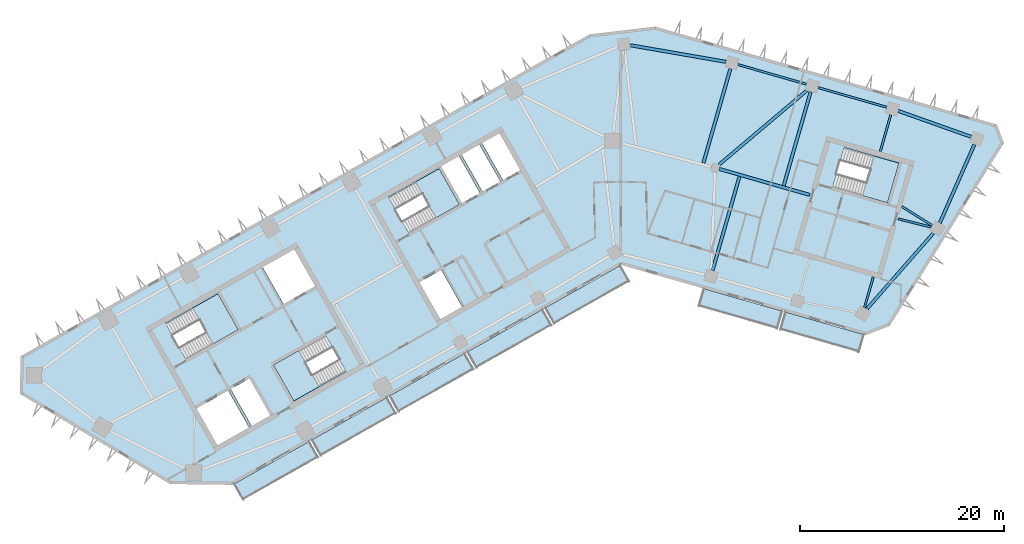
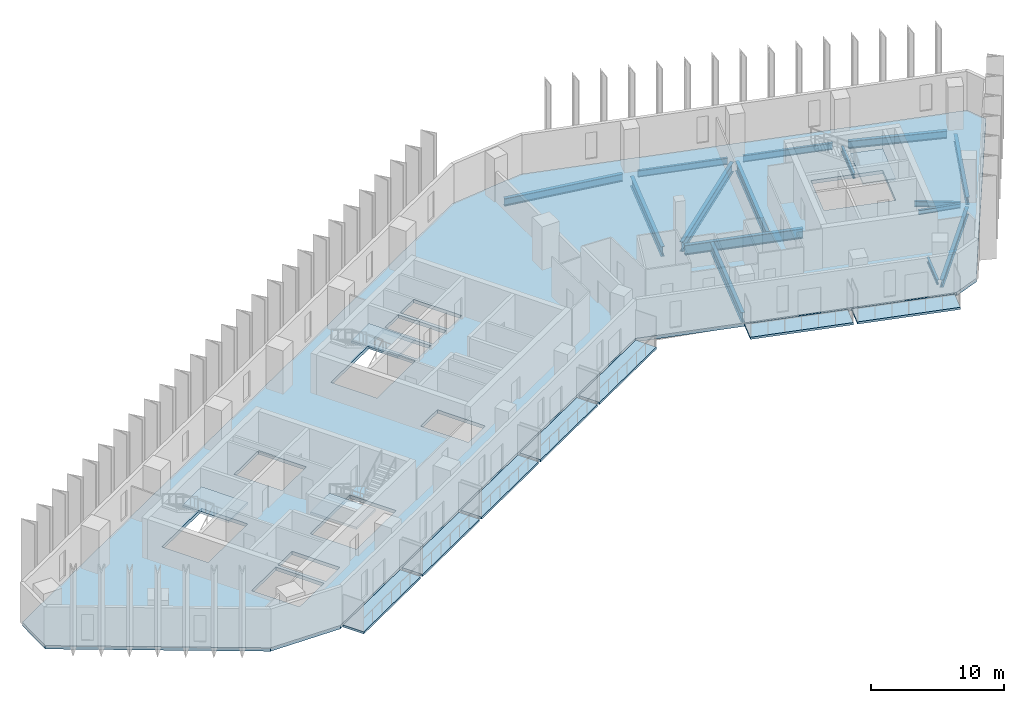
# One storey, part 2 of 10: 15 beams, 12 slabs, 4 elements without a shape of their own.
"""IFC4 building model written with IfcOpenShell, lengths in metres."""

from ifc_helpers import new_model, si_unit, direction, frame, origin, origin_2d, place, context, subcontext, project, spatial, polyline, i_section, outline, extrude, material, layer, layer_set, material_profile, profile_set, type_object, element, aggregate, save


model = new_model("IFC4")

# Units and contexts
model_context = context("Model", 3, precision=1e-05, world=origin(), true_north=direction((0.0, 1.0)))
body_context = subcontext(model_context, "Body", "Model", "MODEL_VIEW")
ifc_project = project(units=[si_unit("LENGTHUNIT", "METRE"), si_unit("AREAUNIT", "SQUARE_METRE"), si_unit("VOLUMEUNIT", "CUBIC_METRE"), si_unit("PLANEANGLEUNIT", "RADIAN"), si_unit("MASSUNIT", "GRAM", prefix="KILO")], contexts=[model_context])

# Site, building, storey
site_placement = place(None, origin())
site = spatial("IfcSite", under=ifc_project, at=site_placement, CompositionType="ELEMENT")
building_placement = place(site_placement, origin())
building = spatial("IfcBuilding", under=site, at=building_placement, Name="Binnacle Exchange Tower", CompositionType="ELEMENT")
storey_placement = place(building_placement, frame((0.0, 0.0, 170.89990234375)))
storey = spatial("IfcBuildingStorey", under=building, at=storey_placement, Name="L36", CompositionType="ELEMENT", Elevation=170.89990234375)

# Beams
ifc_material_1 = material(Name="Steel S355 (SHN355)", Category="steel")
ifc_material_profile_1 = material_profile(ifc_material_1, i_section(OverallWidth=0.201904296875, OverallDepth=0.612060546875, WebThickness=0.012939453125, FlangeThickness=0.02294921875, FilletRadius=0.02197265625, at=origin_2d()), Name="H 612x202x13x23")
ifc_profile_set_1 = profile_set([ifc_material_profile_1], Name="Steel S355 (SHN355)")
beam_type_1 = type_object("IfcBeamType", Name="Edge girder H 612x202x13x23 Steel S355 (SHN355)", PredefinedType="SPANDREL", material=ifc_profile_set_1)
for number, where, z_axis, x_axis, name in (
    (1, (18.16943359375, 65.54150390625, -0.6259765625), (-0.961255274252, 0.275659749916, 0.0), (-0.275659749916, -0.961255274252, 0.0), "S:BM:edge:L36:029"),
    (2, (26.02587890625, 63.288818359375, -0.6259765625), (-0.961267211469, 0.275618120149, 0.0), (-0.275618120149, -0.961267211469, 0.0), "S:BM:edge:L36:031"),
):
    element("IfcBeam", number, at=place(storey_placement, frame(where, z_axis=z_axis, x_axis=x_axis)), inside=storey, type_object=beam_type_1, Name=name, PredefinedType="SPANDREL", context=body_context, shape_type="SweptSolid", body=[
        extrude(i_section(OverallWidth=0.201904296875, OverallDepth=0.612060546875, WebThickness=0.012939453125, FlangeThickness=0.02294921875, FilletRadius=0.02197265625, at=origin_2d()), origin(), (0.0, 0.0, 1.0), 6.972900390625),
    ])
ifc_material_profile_2 = material_profile(ifc_material_1, i_section(OverallWidth=0.300048828125, OverallDepth=0.699951171875, WebThickness=0.012939453125, FlangeThickness=0.02392578125, FilletRadius=0.028076171875, at=origin_2d()), Name="H 700x300x13x24")
ifc_profile_set_2 = profile_set([ifc_material_profile_2], Name="Steel S355 (SHN355)")
beam_type_2 = type_object("IfcBeamType", Name="Edge girder H 700x300x13x24 Steel S355 (SHN355)", PredefinedType="SPANDREL", material=ifc_profile_set_2)
beam_1_placement = place(storey_placement, frame((31.234130859375, 51.94091796875, -0.669921875), z_axis=(0.403470856186, 0.914992496258, 0.0), x_axis=(-0.914992496258, 0.403470856186, 0.0)))
element("IfcBeam", 3, at=beam_1_placement, inside=storey, type_object=beam_type_2, Name="S:BM:edge:L36:032", PredefinedType="SPANDREL", context=body_context, shape_type="SweptSolid", body=[
    extrude(i_section(OverallWidth=0.300048828125, OverallDepth=0.699951171875, WebThickness=0.012939453125, FlangeThickness=0.02392578125, FilletRadius=0.028076171875, at=origin_2d()), origin(), (0.0, 0.0, 1.0), 8.412109375),
])
beam_2_placement = place(storey_placement, frame((34.30419921875, 60.38818359375, -0.669921875), z_axis=(-0.942327723458, 0.334691591771, 0.0), x_axis=(-0.334691591771, -0.942327723458, 0.0)))
element("IfcBeam", 4, at=beam_2_placement, inside=storey, type_object=beam_type_2, Name="S:BM:edge:L36:033", PredefinedType="SPANDREL", context=body_context, shape_type="SweptSolid", body=[
    extrude(i_section(OverallWidth=0.300048828125, OverallDepth=0.699951171875, WebThickness=0.012939453125, FlangeThickness=0.02392578125, FilletRadius=0.028076171875, at=origin_2d()), origin(), (0.0, 0.0, 1.0), 7.57177734375),
])
ifc_material_profile_3 = material_profile(ifc_material_1, i_section(OverallWidth=0.302001953125, OverallDepth=0.7080078125, WebThickness=0.014892578125, FlangeThickness=0.028076171875, FilletRadius=0.028076171875, at=origin_2d()), Name="H 708x302x15x28")
ifc_profile_set_3 = profile_set([ifc_material_profile_3], Name="Steel S355 (SHN355)")
beam_type_3 = type_object("IfcBeamType", Name="Edge girder H 708x302x15x28 Steel S355 (SHN355)", PredefinedType="SPANDREL", material=ifc_profile_set_3)
beam_3_placement = place(storey_placement, frame((10.29541015625, 67.73193359375, -0.673828125), z_axis=(-0.985309861954, 0.170776098841, 0.0), x_axis=(-0.170776098841, -0.985309861954, 0.0)))
element("IfcBeam", 5, at=beam_3_placement, inside=storey, type_object=beam_type_3, Name="S:BM:edge:L36:027", PredefinedType="SPANDREL", context=body_context, shape_type="SweptSolid", body=[
    extrude(i_section(OverallWidth=0.302001953125, OverallDepth=0.7080078125, WebThickness=0.014892578125, FlangeThickness=0.028076171875, FilletRadius=0.028076171875, at=origin_2d()), origin(), (0.0, 0.0, 1.0), 9.518310546875),
])
beam_4_placement = place(storey_placement, frame((24.09326171875, 43.5224609375, -0.673828125), z_axis=(0.659335841855, 0.751848553663, 0.0), x_axis=(-0.751848553663, 0.659335841855, 0.0)))
element("IfcBeam", 6, at=beam_4_placement, inside=storey, type_object=beam_type_3, Name="S:BM:edge:L36:030", PredefinedType="SPANDREL", context=body_context, shape_type="SweptSolid", body=[
    extrude(i_section(OverallWidth=0.302001953125, OverallDepth=0.7080078125, WebThickness=0.014892578125, FlangeThickness=0.028076171875, FilletRadius=0.028076171875, at=origin_2d()), origin(), (0.0, 0.0, 1.0), 9.851318359375),
])
ifc_material_profile_4 = material_profile(ifc_material_1, i_section(OverallWidth=0.199951171875, OverallDepth=0.449951171875, WebThickness=0.009033203125, FlangeThickness=0.013916015625, FilletRadius=0.01806640625, at=origin_2d()), Name="H 450x200x9x14")
ifc_profile_set_4 = profile_set([ifc_material_profile_4], Name="Steel S355 (SHN355)")
beam_type_4 = type_object("IfcBeamType", Name="Floor beam H 450x200x9x14 Steel S355 (SHN355)", PredefinedType="BEAM", material=ifc_profile_set_4)
beam_5_placement = place(storey_placement, frame((23.860595703125, 43.6572265625, -0.544921875), z_axis=(0.275637043779, 0.961261785414, 0.0), x_axis=(-0.961261785414, 0.275637043779, 0.0)))
element("IfcBeam", 7, at=beam_5_placement, inside=storey, type_object=beam_type_4, Name="S:BM:cross:L36:051", PredefinedType="BEAM", context=body_context, shape_type="SweptSolid", body=[
    extrude(i_section(OverallWidth=0.199951171875, OverallDepth=0.449951171875, WebThickness=0.009033203125, FlangeThickness=0.013916015625, FilletRadius=0.01806640625, at=origin_2d()), origin(), (0.0, 0.0, 1.0), 3.1328125),
])
ifc_material_profile_5 = material_profile(ifc_material_1, i_section(OverallWidth=0.199951171875, OverallDepth=0.5, WebThickness=0.010009765625, FlangeThickness=0.01611328125, FilletRadius=0.02001953125, at=origin_2d()), Name="H 500x200x10x16")
ifc_profile_set_5 = profile_set([ifc_material_profile_5], Name="Steel S355 (SHN355)")
beam_type_5 = type_object("IfcBeamType", Name="Floor beam H 500x200x10x16 Steel S355 (SHN355)", PredefinedType="BEAM", material=ifc_profile_set_5)
beam_6_placement = place(storey_placement, frame((26.437255859375, 62.546630859375, -0.56982421875), z_axis=(-0.275644746045, -0.961259576794, 0.0), x_axis=(0.961259576794, -0.275644746045, 0.0)))
element("IfcBeam", 8, at=beam_6_placement, inside=storey, type_object=beam_type_5, Name="S:BM:cross:L36:052", PredefinedType="BEAM", context=body_context, shape_type="SweptSolid", body=[
    extrude(i_section(OverallWidth=0.199951171875, OverallDepth=0.5, WebThickness=0.010009765625, FlangeThickness=0.01611328125, FilletRadius=0.02001953125, at=origin_2d()), origin(), (0.0, 0.0, 1.0), 3.735107421875),
])
beam_7_placement = place(storey_placement, frame((30.480712890625, 51.704345703125, -0.56982421875), z_axis=(-0.848084620748, 0.529860808186, 0.0), x_axis=(-0.529860808186, -0.848084620748, 0.0)))
element("IfcBeam", 9, at=beam_7_placement, inside=storey, type_object=beam_type_5, Name="S:BM:cross:L36:053", PredefinedType="BEAM", context=body_context, shape_type="SweptSolid", body=[
    extrude(i_section(OverallWidth=0.199951171875, OverallDepth=0.5, WebThickness=0.010009765625, FlangeThickness=0.01611328125, FilletRadius=0.02001953125, at=origin_2d()), origin(), (0.0, 0.0, 1.0), 3.495361328125),
])
ifc_material_profile_6 = material_profile(ifc_material_1, i_section(OverallWidth=0.302001953125, OverallDepth=0.912109375, WebThickness=0.01806640625, FlangeThickness=0.033935546875, FilletRadius=0.028076171875, at=origin_2d()), Name="H 912x302x18x34")
ifc_profile_set_6 = profile_set([ifc_material_profile_6], Name="Steel S355 (SHN355)")
beam_type_6 = type_object("IfcBeamType", Name="Floor beam H 912x302x18x34 Steel S355 (SHN355)", PredefinedType="BEAM", material=ifc_profile_set_6)
beam_8_placement = place(storey_placement, frame((8.974853515625, 47.299072265625, -0.77587890625), z_axis=(0.275642748758, 0.961260149521, 0.0), x_axis=(-0.961260149521, 0.275642748758, 0.0)))
element("IfcBeam", 10, at=beam_8_placement, inside=storey, type_object=beam_type_6, Name="S:BM:cross:L36:047", PredefinedType="BEAM", context=body_context, shape_type="SweptSolid", body=[
    extrude(i_section(OverallWidth=0.302001953125, OverallDepth=0.912109375, WebThickness=0.01806640625, FlangeThickness=0.033935546875, FilletRadius=0.028076171875, at=origin_2d()), origin(), (0.0, 0.0, 1.0), 9.585205078125),
])
beam_9_placement = place(storey_placement, frame((10.724609375, 67.05224609375, -0.77587890625), z_axis=(-0.275623285325, -0.961265730475, 0.0), x_axis=(0.961265730475, -0.275623285325, 0.0)))
element("IfcBeam", 11, at=beam_9_placement, inside=storey, type_object=beam_type_6, Name="S:BM:cross:L36:048", PredefinedType="BEAM", context=body_context, shape_type="SweptSolid", body=[
    extrude(i_section(OverallWidth=0.302001953125, OverallDepth=0.912109375, WebThickness=0.01806640625, FlangeThickness=0.033935546875, FilletRadius=0.028076171875, at=origin_2d()), origin(), (0.0, 0.0, 1.0), 9.61328125),
])
beam_10_placement = place(storey_placement, frame((18.580810546875, 64.79931640625, -0.77587890625), z_axis=(-0.275625961623, -0.961264963098, 0.0), x_axis=(0.961264963098, -0.275625961623, 0.0)))
element("IfcBeam", 12, at=beam_10_placement, inside=storey, type_object=beam_type_6, Name="S:BM:cross:L36:050", PredefinedType="BEAM", context=body_context, shape_type="SweptSolid", body=[
    extrude(i_section(OverallWidth=0.302001953125, OverallDepth=0.912109375, WebThickness=0.01806640625, FlangeThickness=0.033935546875, FilletRadius=0.028076171875, at=origin_2d()), origin(), (0.0, 0.0, 1.0), 9.5849609375),
])
ifc_material_profile_7 = material_profile(ifc_material_1, i_section(OverallWidth=0.199951171875, OverallDepth=0.39990234375, WebThickness=0.008056640625, FlangeThickness=0.012939453125, FilletRadius=0.01611328125, at=origin_2d()), Name="H 400x200x8x13")
ifc_profile_set_7 = profile_set([ifc_material_profile_7], Name="Steel S355 (SHN355)")
beam_type_7 = type_object("IfcBeamType", Name="Spine girder H 400x200x8x13 Steel S355 (SHN355)", PredefinedType="BEAM", material=ifc_profile_set_7)
beam_11_placement = place(storey_placement, frame((27.17138671875, 52.35400390625, -0.52001953125), z_axis=(0.969342999561, -0.245711516217, 0.0), x_axis=(0.245711516217, 0.969342999561, 0.0)))
element("IfcBeam", 13, at=beam_11_placement, inside=storey, type_object=beam_type_7, Name="S:BM:spine:L36:010", PredefinedType="BEAM", context=body_context, shape_type="SweptSolid", body=[
    extrude(i_section(OverallWidth=0.199951171875, OverallDepth=0.39990234375, WebThickness=0.008056640625, FlangeThickness=0.012939453125, FilletRadius=0.01611328125, at=origin_2d()), origin(), (0.0, 0.0, 1.0), 3.30859375),
])
ifc_material_profile_8 = material_profile(ifc_material_1, i_section(OverallWidth=0.302001953125, OverallDepth=0.912109375, WebThickness=0.01806640625, FlangeThickness=0.033935546875, FilletRadius=0.028076171875, at=origin_2d()), Name="H 912x302x18x34")
ifc_profile_set_8 = profile_set([ifc_material_profile_8], Name="Steel S355 (SHN355)")
beam_type_8 = type_object("IfcBeamType", Name="Spine girder H 912x302x18x34 Steel S355 (SHN355)", PredefinedType="BEAM", material=ifc_profile_set_8)
beam_12_placement = place(storey_placement, frame((9.60888671875, 57.660888671875, -0.77587890625), z_axis=(0.764057522707, 0.645148124073, 0.0), x_axis=(-0.645148124073, 0.764057522707, 0.0)))
element("IfcBeam", 14, at=beam_12_placement, inside=storey, type_object=beam_type_8, Name="S:BM:spine:L36:008", PredefinedType="BEAM", context=body_context, shape_type="SweptSolid", body=[
    extrude(i_section(OverallWidth=0.302001953125, OverallDepth=0.912109375, WebThickness=0.01806640625, FlangeThickness=0.033935546875, FilletRadius=0.028076171875, at=origin_2d()), origin(), (0.0, 0.0, 1.0), 11.237060546875),
])
beam_13_placement = place(storey_placement, frame((9.62548828125, 57.239990234375, -0.77587890625), z_axis=(0.961259511383, -0.275644974153, 0.0), x_axis=(0.275644974153, 0.961259511383, 0.0)))
element("IfcBeam", 15, at=beam_13_placement, inside=storey, type_object=beam_type_8, Name="S:BM:spine:L36:009", PredefinedType="BEAM", context=body_context, shape_type="SweptSolid", body=[
    extrude(i_section(OverallWidth=0.302001953125, OverallDepth=0.912109375, WebThickness=0.01806640625, FlangeThickness=0.033935546875, FilletRadius=0.028076171875, at=origin_2d()), origin(), (0.0, 0.0, 1.0), 9.213134765625),
])

# Slabs
ifc_material_2 = material(Name="Concrete C35/45", Category="concrete")
ifc_layer_1 = layer(ifc_material_2, 0.199951171875)
ifc_layer_set_1 = layer_set([ifc_layer_1], Name="BALCONY SLAB 200")
slab_type_1 = type_object("IfcSlabType", Name="BALCONY SLAB 200", PredefinedType="FLOOR", material=ifc_layer_set_1)
slab_1_placement = place(storey_placement, frame((0.0, 0.0, -0.199951171875)))
element("IfcSlab", 16, at=slab_1_placement, inside=storey, type_object=slab_type_1, Name="Balcony BA-G01-00 L36", PredefinedType="FLOOR", context=body_context, shape_type="SweptSolid", body=[
    extrude(outline(polyline([(-37.893310546875, 26.388671875), (-30.534912109375, 30.5517578125), (-29.648681640625, 28.985107421875), (-37.007080078125, 24.822021484375), (-37.893310546875, 26.388671875)])), origin(), (0.0, 0.0, 1.0), 0.199951171875),
])
slab_2_placement = place(storey_placement, frame((0.0, 0.0, -0.199951171875)))
element("IfcSlab", 17, at=slab_2_placement, inside=storey, type_object=slab_type_1, Name="Balcony BA-G01-01 L36", PredefinedType="FLOOR", context=body_context, shape_type="SweptSolid", body=[
    extrude(outline(polyline([(-30.27392578125, 30.699462890625), (-22.915283203125, 34.86279296875), (-22.029052734375, 33.296142578125), (-29.387451171875, 29.1328125), (-30.27392578125, 30.699462890625)])), origin(), (0.0, 0.0, 1.0), 0.199951171875),
])
slab_3_placement = place(storey_placement, frame((0.0, 0.0, -0.199951171875)))
element("IfcSlab", 18, at=slab_3_placement, inside=storey, type_object=slab_type_1, Name="Balcony BA-G01-02 L36", PredefinedType="FLOOR", context=body_context, shape_type="SweptSolid", body=[
    extrude(outline(polyline([(-22.654296875, 35.010498046875), (-15.2958984375, 39.173583984375), (-14.409423828125, 37.607177734375), (-21.767822265625, 33.44384765625), (-22.654296875, 35.010498046875)])), origin(), (0.0, 0.0, 1.0), 0.199951171875),
])
slab_4_placement = place(storey_placement, frame((0.0, 0.0, -0.199951171875)))
element("IfcSlab", 19, at=slab_4_placement, inside=storey, type_object=slab_type_1, Name="Balcony BA-G01-03 L36", PredefinedType="FLOOR", context=body_context, shape_type="SweptSolid", body=[
    extrude(outline(polyline([(-15.03466796875, 39.3212890625), (-7.67626953125, 43.484619140625), (-6.789794921875, 41.91796875), (-14.148193359375, 37.7548828125), (-15.03466796875, 39.3212890625)])), origin(), (0.0, 0.0, 1.0), 0.199951171875),
])
slab_5_placement = place(storey_placement, frame((0.0, 0.0, -0.199951171875)))
element("IfcSlab", 20, at=slab_5_placement, inside=storey, type_object=slab_type_1, Name="Balcony BA-G01-04 L36", PredefinedType="FLOOR", context=body_context, shape_type="SweptSolid", body=[
    extrude(outline(polyline([(-7.4150390625, 43.63232421875), (-0.056640625, 47.795654296875), (0.82958984375, 46.22900390625), (-6.52880859375, 42.06591796875), (-7.4150390625, 43.63232421875)])), origin(), (0.0, 0.0, 1.0), 0.199951171875),
])
slab_6_placement = place(storey_placement, frame((0.0, 0.0, -0.199951171875)))
element("IfcSlab", 21, at=slab_6_placement, inside=storey, type_object=slab_type_1, Name="Balcony BA-G02-01 L36", PredefinedType="FLOOR", context=body_context, shape_type="SweptSolid", body=[
    extrude(outline(polyline([(8.100830078125, 45.52099609375), (15.810546875, 43.310302734375), (15.314453125, 41.580078125), (7.604736328125, 43.790771484375), (8.100830078125, 45.52099609375)])), origin(), (0.0, 0.0, 1.0), 0.199951171875),
])
slab_7_placement = place(storey_placement, frame((0.0, 0.0, -0.199951171875)))
element("IfcSlab", 22, at=slab_7_placement, inside=storey, type_object=slab_type_1, Name="Balcony BA-G02-02 L36", PredefinedType="FLOOR", context=body_context, shape_type="SweptSolid", body=[
    extrude(outline(polyline([(16.09912109375, 43.2275390625), (23.80859375, 41.016845703125), (23.3125, 39.28662109375), (15.602783203125, 41.497314453125), (16.09912109375, 43.2275390625)])), origin(), (0.0, 0.0, 1.0), 0.199951171875),
])
ifc_layer_2 = layer(ifc_material_2, 0.320068359375)
ifc_layer_set_2 = layer_set([ifc_layer_2], Name="Floor slab 320 Concrete C35/45")
slab_type_2 = type_object("IfcSlabType", Name="Floor slab 320 Concrete C35/45", PredefinedType="FLOOR", material=ifc_layer_set_2)
slab_8_placement = place(storey_placement, frame((0.0, 0.0, -0.31982421875)))
element("IfcSlab", 23, at=slab_8_placement, inside=storey, type_object=slab_type_2, Name="S:SL:L36:01", PredefinedType="FLOOR", context=body_context, shape_type="SweptSolid", body=[
    extrude(outline(polyline([(-58.716064453125, 35.280029296875), (-58.669921875, 38.80615234375), (-3.046142578125, 70.276611328125), (3.364501953125, 71.035400390625), (36.71240234375, 61.472900390625), (37.359375, 59.787353515625), (26.23095703125, 41.978515625), (23.994140625, 41.119873046875), (0.0, 48.0), (-38.097900390625, 26.4453125), (-44.14404296875, 26.5244140625), (-58.716064453125, 35.280029296875)]), holes=[polyline([(-38.4794921875, 35.529296875), (-41.61279296875, 33.756591796875), (-39.544677734375, 30.10107421875), (-36.411376953125, 31.873779296875), (-38.4794921875, 35.529296875)]), polyline([(-36.390625, 36.711181640625), (-38.21826171875, 35.677001953125), (-36.150146484375, 32.021484375), (-34.322509765625, 33.0556640625), (-36.390625, 36.711181640625)]), polyline([(-32.04638671875, 34.515625), (-26.9287109375, 37.4111328125), (-28.923095703125, 40.93603515625), (-34.040771484375, 38.04052734375), (-32.04638671875, 34.515625)]), polyline([(-37.486572265625, 41.4912109375), (-39.480712890625, 45.01611328125), (-44.598388671875, 42.12060546875), (-42.604248046875, 38.595703125), (-37.486572265625, 41.4912109375)]), polyline([(-29.914306640625, 45.775390625), (-31.982666015625, 49.430908203125), (-35.115966796875, 47.657958984375), (-33.047607421875, 44.00244140625), (-29.914306640625, 45.775390625)]), polyline([(-17.81689453125, 57.27294921875), (-22.760498046875, 54.47607421875), (-20.76611328125, 50.950927734375), (-15.822509765625, 53.748046875), (-17.81689453125, 57.27294921875)]), polyline([(-15.53076171875, 43.6875), (-17.598876953125, 47.343017578125), (-19.77490234375, 46.11181640625), (-17.70654296875, 42.456298828125), (-15.53076171875, 43.6875)]), polyline([(-13.82080078125, 54.880615234375), (-15.888916015625, 58.5361328125), (-17.629638671875, 57.55126953125), (-15.5615234375, 53.895751953125), (-13.82080078125, 54.880615234375)]), polyline([(27.227783203125, 57.810302734375), (21.864013671875, 59.348388671875), (20.74755859375, 55.455078125), (26.111328125, 53.9169921875), (27.227783203125, 57.810302734375)]), polyline([(-11.819091796875, 56.01318359375), (-13.88720703125, 59.668701171875), (-15.6279296875, 58.683837890625), (-13.559814453125, 55.0283203125), (-11.819091796875, 56.01318359375)]), polyline([(-9.817138671875, 57.145751953125), (-11.885498046875, 60.80126953125), (-13.626220703125, 59.81640625), (-11.557861328125, 56.160888671875), (-9.817138671875, 57.145751953125)])]), origin(), (0.0, 0.0, 1.0), 0.31982421875),
])

# Stair, slab
stair_type = type_object("IfcStairType", Name="STAIR 24 RISERS 167", PredefinedType="HALF_TURN_STAIR", material=ifc_material_2)
stair_1_placement = place(storey_placement, origin())
stair_1 = element("IfcStair", 24, at=stair_1_placement, inside=storey, type_object=stair_type, Name="L36 Escape stair A1", PredefinedType="HALF_TURN_STAIR")
ifc_layer_3 = layer(ifc_material_2, 0.199951171875)
ifc_layer_set_3 = layer_set([ifc_layer_3], Name="STAIR LANDING 200")
slab_type_3 = type_object("IfcSlabType", Name="STAIR LANDING 200", PredefinedType="LANDING", material=ifc_layer_set_3)
slab_9_placement = place(storey_placement, frame((0.0, 0.0, 1.800048828125)))
slab_9 = element("IfcSlab", 25, at=slab_9_placement, type_object=slab_type_3, Name="STA1 landing 1", PredefinedType="LANDING", context=body_context, shape_type="SweptSolid", body=[
    extrude(outline(polyline([(-39.958251953125, 40.0927734375), (-37.486572265625, 41.4912109375), (-39.48095703125, 45.01611328125), (-41.95263671875, 43.61767578125), (-39.958251953125, 40.0927734375)])), origin(), (0.0, 0.0, 1.0), 0.199951171875),
])
aggregate(stair_1, [slab_9])

stair_2_placement = place(storey_placement, origin())
stair_2 = element("IfcStair", 26, at=stair_2_placement, inside=storey, type_object=stair_type, Name="L36 Escape stair A2", PredefinedType="HALF_TURN_STAIR")
slab_10_placement = place(storey_placement, frame((0.0, 0.0, 1.800048828125)))
slab_10 = element("IfcSlab", 27, at=slab_10_placement, type_object=slab_type_3, Name="STA2 landing 1", PredefinedType="LANDING", context=body_context, shape_type="SweptSolid", body=[
    extrude(outline(polyline([(-31.56884765625, 39.439208984375), (-34.040771484375, 38.04052734375), (-32.04638671875, 34.515625), (-29.574462890625, 35.9140625), (-31.56884765625, 39.439208984375)])), origin(), (0.0, 0.0, 1.0), 0.199951171875),
])
aggregate(stair_2, [slab_10])

stair_3_placement = place(storey_placement, origin())
stair_3 = element("IfcStair", 28, at=stair_3_placement, inside=storey, type_object=stair_type, Name="L36 Escape stair C1", PredefinedType="HALF_TURN_STAIR")
slab_11_placement = place(storey_placement, frame((0.0, 0.0, 1.800048828125)))
slab_11 = element("IfcSlab", 29, at=slab_11_placement, type_object=slab_type_3, Name="STC1 landing 1", PredefinedType="LANDING", context=body_context, shape_type="SweptSolid", body=[
    extrude(outline(polyline([(-18.120361328125, 52.447998046875), (-15.822509765625, 53.748046875), (-17.81689453125, 57.27294921875), (-20.11474609375, 55.972900390625), (-18.120361328125, 52.447998046875)])), origin(), (0.0, 0.0, 1.0), 0.199951171875),
])
aggregate(stair_3, [slab_11])

stair_4_placement = place(storey_placement, origin())
stair_4 = element("IfcStair", 30, at=stair_4_placement, inside=storey, type_object=stair_type, Name="L36 Escape stair D1", PredefinedType="HALF_TURN_STAIR")
slab_12_placement = place(storey_placement, frame((0.0, 0.0, 1.800048828125)))
slab_12 = element("IfcSlab", 31, at=slab_12_placement, type_object=slab_type_3, Name="STD1 landing 1", PredefinedType="LANDING", context=body_context, shape_type="SweptSolid", body=[
    extrude(outline(polyline([(23.669677734375, 54.6171875), (26.111328125, 53.917236328125), (27.227783203125, 57.810302734375), (24.7861328125, 58.51025390625), (23.669677734375, 54.6171875)])), origin(), (0.0, 0.0, 1.0), 0.199951171875),
])
aggregate(stair_4, [slab_12])

save(model, "model.ifc")
